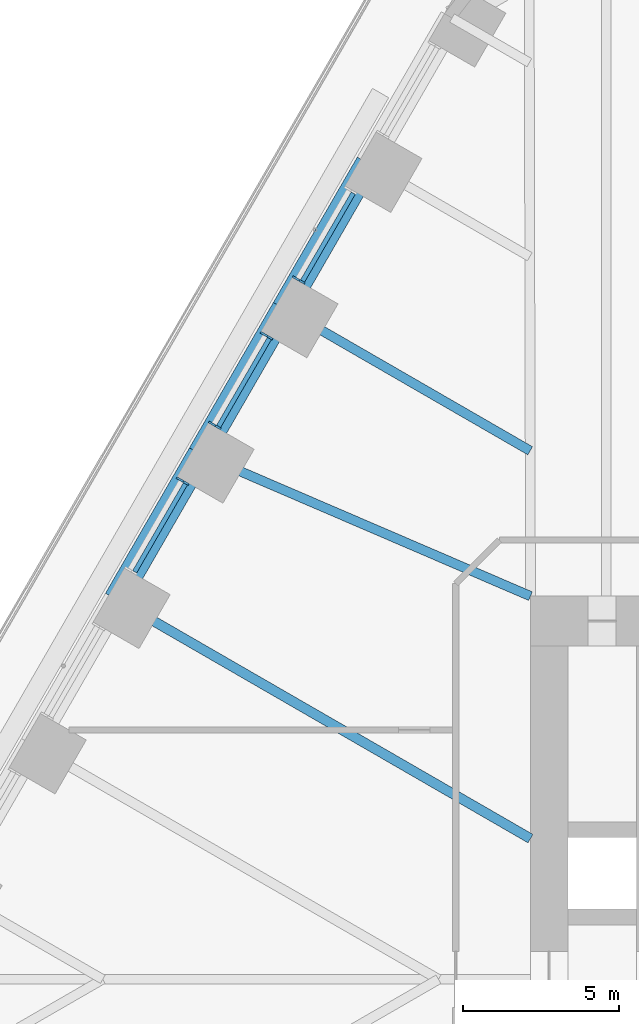
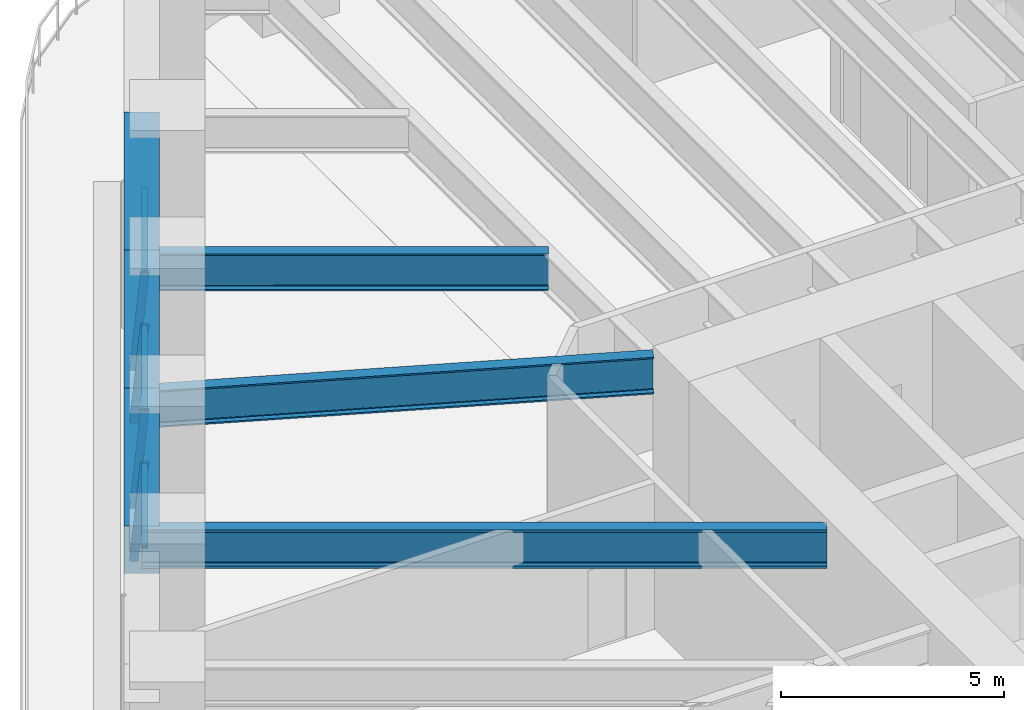
# One storey, part 8 of 24: 7 members, 6 beams, 3 elements without a shape of their own.
"""IFC4 building model written with IfcOpenShell, lengths in metres."""

from ifc_helpers import new_model, si_unit, direction, frame, origin, origin_2d, place, context, subcontext, project, spatial, rectangle, i_section, extrude, material, material_profile, profile_set, type_object, element, aggregate, save


model = new_model("IFC4")

# Units and contexts
model_context = context("Model", 3, precision=1e-05, world=origin(), true_north=direction((0.0, 1.0)))
body_context = subcontext(model_context, "Body", "Model", "MODEL_VIEW")
ifc_project = project(units=[si_unit("LENGTHUNIT", "METRE"), si_unit("AREAUNIT", "SQUARE_METRE"), si_unit("VOLUMEUNIT", "CUBIC_METRE"), si_unit("PLANEANGLEUNIT", "RADIAN"), si_unit("MASSUNIT", "GRAM", prefix="KILO")], contexts=[model_context])

# Site, building, storey
site_placement = place(None, origin())
site = spatial("IfcSite", under=ifc_project, at=site_placement, CompositionType="ELEMENT")
building_placement = place(site_placement, origin())
building = spatial("IfcBuilding", under=site, at=building_placement, Name="Tarfa Lantern Tower", CompositionType="ELEMENT")
storey_placement = place(building_placement, frame((0.0, 0.0, 65.5)))
storey = spatial("IfcBuildingStorey", under=building, at=storey_placement, Name="L14", CompositionType="ELEMENT", Elevation=65.5)

# Curtain wall, member
ifc_material_1 = material(Name="Aluminium framed curtain wall", Category="aluminium")
curtain_wall_type = type_object("IfcCurtainWallType", Name="CW1 CANTED GLAZING LOW ZONE 2700", PredefinedType="USERDEFINED", material=ifc_material_1)
curtain_wall_1_placement = place(storey_placement, origin())
curtain_wall_1 = element("IfcCurtainWall", 1, at=curtain_wall_1_placement, inside=storey, type_object=curtain_wall_type, Name="CW1 NW L14", ObjectType="CURTAIN WALL", PredefinedType="USERDEFINED")
ifc_material_2 = material(Name="Aluminium mullion", Category="aluminium")
ifc_material_profile_1 = material_profile(ifc_material_2, rectangle(XDim=0.06494140625, YDim=0.199951171875, at=origin_2d()), Name="AL MULLION 65x200")
ifc_profile_set_1 = profile_set([ifc_material_profile_1], Name="Aluminium mullion")
member_type_1 = type_object("IfcMemberType", Name="CWM1 MULLION 65x200", PredefinedType="MULLION", material=ifc_profile_set_1)
member_1_placement = place(storey_placement, frame((-26.147705078125, 22.5107421875, 0.0), z_axis=(0.07986442134, -0.046099868913, 0.99573916077), x_axis=(0.499919672301, 0.866071776036, 0.0)))
member_1 = element("IfcMember", 2, at=member_1_placement, type_object=member_type_1, Name="CW1 mullion 2", PredefinedType="MULLION", context=body_context, shape_type="SweptSolid", body=[
    extrude(rectangle(XDim=0.06494140625, YDim=0.199951171875, at=origin_2d()), origin(), (0.0, 0.0, 1.0), 2.71142578125),
])

# Curtain wall, members
curtain_wall_2_placement = place(storey_placement, origin())
curtain_wall_2 = element("IfcCurtainWall", 3, at=curtain_wall_2_placement, inside=storey, type_object=curtain_wall_type, Name="CW1 NW L14", ObjectType="CURTAIN WALL", PredefinedType="USERDEFINED")
member_2_placement = place(storey_placement, frame((-27.18017578125, 20.722412109375, 0.0), z_axis=(0.07986442134, -0.046099868913, 0.99573916077), x_axis=(0.499919672301, 0.866071776036, 0.0)))
member_2 = element("IfcMember", 4, at=member_2_placement, type_object=member_type_1, Name="CW1 mullion 1", PredefinedType="MULLION", context=body_context, shape_type="SweptSolid", body=[
    extrude(rectangle(XDim=0.06494140625, YDim=0.199951171875, at=origin_2d()), origin(), (0.0, 0.0, 1.0), 2.71142578125),
])
member_3_placement = place(storey_placement, frame((-28.842041015625, 17.84423828125, 0.0), z_axis=(0.07986442134, -0.046099868913, 0.99573916077), x_axis=(0.499919672301, 0.866071776036, 0.0)))
member_3 = element("IfcMember", 5, at=member_3_placement, type_object=member_type_1, Name="CW1 mullion 2", PredefinedType="MULLION", context=body_context, shape_type="SweptSolid", body=[
    extrude(rectangle(XDim=0.06494140625, YDim=0.199951171875, at=origin_2d()), origin(), (0.0, 0.0, 1.0), 2.71142578125),
])

# Curtain wall, member
curtain_wall_3_placement = place(storey_placement, origin())
curtain_wall_3 = element("IfcCurtainWall", 6, at=curtain_wall_3_placement, inside=storey, type_object=curtain_wall_type, Name="CW1 NW L14", ObjectType="CURTAIN WALL", PredefinedType="USERDEFINED")
member_4_placement = place(storey_placement, frame((-29.87451171875, 16.055908203125, 0.0), z_axis=(0.07986442134, -0.046099868913, 0.99573916077), x_axis=(0.499919672301, 0.866071776036, 0.0)))
member_4 = element("IfcMember", 7, at=member_4_placement, type_object=member_type_1, Name="CW1 mullion 1", PredefinedType="MULLION", context=body_context, shape_type="SweptSolid", body=[
    extrude(rectangle(XDim=0.06494140625, YDim=0.199951171875, at=origin_2d()), origin(), (0.0, 0.0, 1.0), 2.71142578125),
])

# Member
ifc_material_3 = material(Name="Aluminium transom", Category="aluminium")
ifc_material_profile_2 = material_profile(ifc_material_3, rectangle(XDim=0.14990234375, YDim=0.06494140625, at=origin_2d()), Name="AL TRANSOM 150x65")
ifc_profile_set_2 = profile_set([ifc_material_profile_2], Name="Aluminium transom")
member_type_2 = type_object("IfcMemberType", Name="CWT1 TRANSOM 150x65", PredefinedType="USERDEFINED", material=ifc_profile_set_2)
member_5_placement = place(storey_placement, frame((-24.288330078125, 25.237548828125, 2.66748046875), z_axis=(-0.499966746847, -0.86604460165, 0.0), x_axis=(0.86604460165, -0.499966746847, 0.0)))
member_5 = element("IfcMember", 8, at=member_5_placement, type_object=member_type_2, Name="CW1 transom 1.2", ObjectType="TRANSOM", PredefinedType="USERDEFINED", context=body_context, shape_type="SweptSolid", body=[
    extrude(rectangle(XDim=0.14990234375, YDim=0.06494140625, at=origin_2d()), origin(), (0.0, 0.0, 1.0), 3.258544921875),
])

aggregate(curtain_wall_1, [member_1, member_5])

member_6_placement = place(storey_placement, frame((-26.982666015625, 20.57080078125, 2.66748046875), z_axis=(-0.499966746847, -0.86604460165, 0.0), x_axis=(0.86604460165, -0.499966746847, 0.0)))
member_6 = element("IfcMember", 9, at=member_6_placement, type_object=member_type_2, Name="CW1 transom 1.2", ObjectType="TRANSOM", PredefinedType="USERDEFINED", context=body_context, shape_type="SweptSolid", body=[
    extrude(rectangle(XDim=0.14990234375, YDim=0.06494140625, at=origin_2d()), origin(), (0.0, 0.0, 1.0), 3.258544921875),
])

aggregate(curtain_wall_2, [member_2, member_3, member_6])

member_7_placement = place(storey_placement, frame((-29.6767578125, 15.904296875, 2.66748046875), z_axis=(-0.500022939057, -0.866012159509, 0.0), x_axis=(0.866012159509, -0.500022939057, 0.0)))
member_7 = element("IfcMember", 10, at=member_7_placement, type_object=member_type_2, Name="CW1 transom 1.2", ObjectType="TRANSOM", PredefinedType="USERDEFINED", context=body_context, shape_type="SweptSolid", body=[
    extrude(rectangle(XDim=0.14990234375, YDim=0.06494140625, at=origin_2d()), origin(), (0.0, 0.0, 1.0), 3.258544921875),
])

aggregate(curtain_wall_3, [member_4, member_7])

# Beams
ifc_material_4 = material(Name="Concrete C80/95", Category="concrete")
ifc_material_profile_3 = material_profile(ifc_material_4, rectangle(XDim=0.800048828125, YDim=1.300048828125, at=origin_2d()), Name="RC 800x1300")
ifc_profile_set_3 = profile_set([ifc_material_profile_3], Name="Concrete C80/95")
beam_type_1 = type_object("IfcBeamType", Name="EB1 RC 800x1300", PredefinedType="SPANDREL", material=ifc_profile_set_3)
beam_1_placement = place(storey_placement, frame((-23.813720703125, 26.193359375, 3.35009765625), z_axis=(-0.499998287579, -0.866026392449, 0.0), x_axis=(0.866026392449, -0.499998287579, 0.0)))
element("IfcBeam", 11, at=beam_1_placement, inside=storey, type_object=beam_type_1, Name="Edge beam NW1", PredefinedType="SPANDREL", context=body_context, shape_type="SweptSolid", body=[
    extrude(rectangle(XDim=0.800048828125, YDim=1.300048828125, at=origin_2d()), origin(), (0.0, 0.0, 1.0), 5.388671875),
])
beam_2_placement = place(storey_placement, frame((-26.508056640625, 21.526611328125, 3.35009765625), z_axis=(-0.500017906299, -0.866015065331, 0.0), x_axis=(0.866015065331, -0.500017906299, 0.0)))
element("IfcBeam", 12, at=beam_2_placement, inside=storey, type_object=beam_type_1, Name="Edge beam NW2", PredefinedType="SPANDREL", context=body_context, shape_type="SweptSolid", body=[
    extrude(rectangle(XDim=0.800048828125, YDim=1.300048828125, at=origin_2d()), origin(), (0.0, 0.0, 1.0), 5.388427734375),
])
beam_3_placement = place(storey_placement, frame((-29.202392578125, 16.860107421875, 3.35009765625), z_axis=(-0.499998287579, -0.866026392449, 0.0), x_axis=(0.866026392449, -0.499998287579, 0.0)))
element("IfcBeam", 13, at=beam_3_placement, inside=storey, type_object=beam_type_1, Name="Edge beam NW3", PredefinedType="SPANDREL", context=body_context, shape_type="SweptSolid", body=[
    extrude(rectangle(XDim=0.800048828125, YDim=1.300048828125, at=origin_2d()), origin(), (0.0, 0.0, 1.0), 5.388671875),
])
ifc_material_5 = material(Name="Steel S460M", Category="steel")
ifc_material_profile_4 = material_profile(ifc_material_5, i_section(OverallWidth=0.302001953125, OverallDepth=1.008056640625, WebThickness=0.02099609375, FlangeThickness=0.0400390625, FilletRadius=0.030029296875, at=origin_2d()), Name="UB1016x305x349")
ifc_profile_set_4 = profile_set([ifc_material_profile_4], Name="Steel S460M")
beam_type_2 = type_object("IfcBeamType", Name="UB1016x305x349", PredefinedType="BEAM", material=ifc_profile_set_4)
beam_4_placement = place(storey_placement, frame((-26.508056640625, 21.526611328125, 3.495849609375), z_axis=(0.866035355799, -0.49998276221, 0.0), x_axis=(0.49998276221, 0.866035355799, 0.0)))
element("IfcBeam", 14, at=beam_4_placement, inside=storey, type_object=beam_type_2, Name="Floor beam NW2", PredefinedType="BEAM", context=body_context, shape_type="SweptSolid", body=[
    extrude(i_section(OverallWidth=0.302001953125, OverallDepth=1.008056640625, WebThickness=0.02099609375, FlangeThickness=0.0400390625, FilletRadius=0.030029296875, at=origin_2d()), origin(), (0.0, 0.0, 1.0), 9.119873046875),
])
beam_5_placement = place(storey_placement, frame((-29.202392578125, 16.860107421875, 3.495849609375), z_axis=(0.918635483867, -0.395106122175, 0.0), x_axis=(0.395106122175, 0.918635483867, 0.0)))
element("IfcBeam", 15, at=beam_5_placement, inside=storey, type_object=beam_type_2, Name="Floor beam NW3", PredefinedType="BEAM", context=body_context, shape_type="SweptSolid", body=[
    extrude(i_section(OverallWidth=0.302001953125, OverallDepth=1.008056640625, WebThickness=0.02099609375, FlangeThickness=0.0400390625, FilletRadius=0.030029296875, at=origin_2d()), origin(), (0.0, 0.0, 1.0), 11.541259765625),
])
ifc_material_profile_5 = material_profile(ifc_material_5, i_section(OverallWidth=0.314208984375, OverallDepth=1.055908203125, WebThickness=0.035888671875, FlangeThickness=0.06396484375, FilletRadius=0.030029296875, at=origin_2d()), Name="UB1016x305x584")
ifc_profile_set_5 = profile_set([ifc_material_profile_5], Name="Steel S460M")
beam_type_3 = type_object("IfcBeamType", Name="UB1016x305x584", PredefinedType="BEAM", material=ifc_profile_set_5)
beam_6_placement = place(storey_placement, frame((-31.896728515625, 12.193359375, 3.471923828125), z_axis=(0.866026971665, -0.499997284341, 0.0), x_axis=(0.499997284341, 0.866026971665, 0.0)))
element("IfcBeam", 16, at=beam_6_placement, inside=storey, type_object=beam_type_3, Name="Floor beam NW4", PredefinedType="BEAM", context=body_context, shape_type="SweptSolid", body=[
    extrude(i_section(OverallWidth=0.314208984375, OverallDepth=1.055908203125, WebThickness=0.035888671875, FlangeThickness=0.06396484375, FilletRadius=0.030029296875, at=origin_2d()), origin(), (0.0, 0.0, 1.0), 15.353515625),
])

save(model, "model.ifc")
